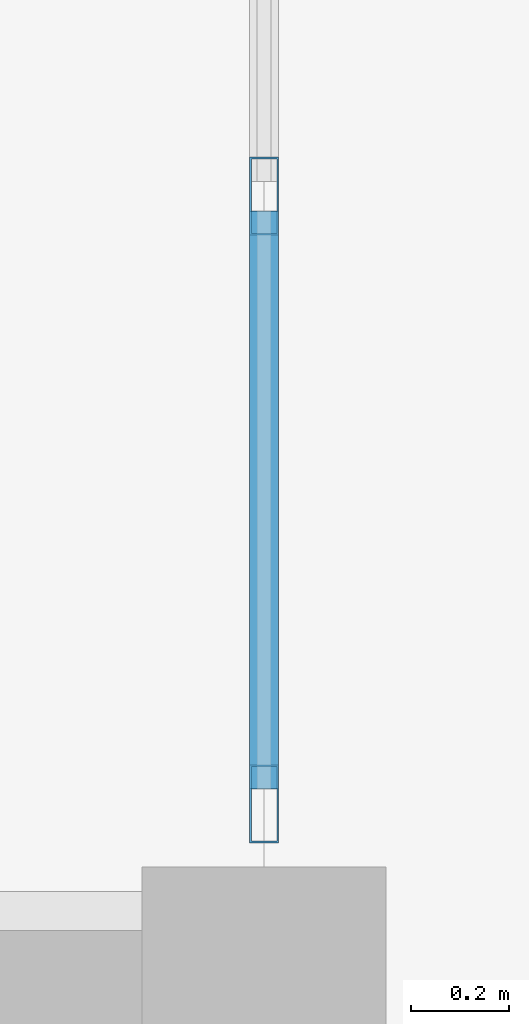
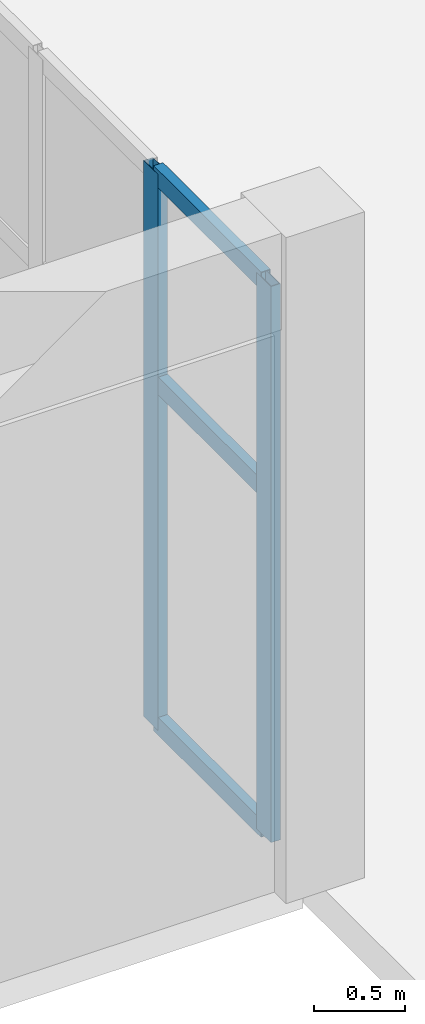
# One storey, part 24 of 132: 5 members, 1 element without a shape of its own.
"""IFC4 building model written with IfcOpenShell, lengths in metres."""

from ifc_helpers import new_model, si_unit, direction, frame, origin, origin_2d, place, context, subcontext, project, spatial, hollow_rectangle, extrude, material, material_profile, profile_set, type_object, element, aggregate, save


model = new_model("IFC4")

# Units and contexts
model_context = context("Model", 3, precision=1e-05, world=origin(), true_north=direction((0.0, 1.0)))
body_context = subcontext(model_context, "Body", "Model", "MODEL_VIEW")
ifc_project = project(units=[si_unit("LENGTHUNIT", "METRE"), si_unit("AREAUNIT", "SQUARE_METRE"), si_unit("VOLUMEUNIT", "CUBIC_METRE"), si_unit("PLANEANGLEUNIT", "RADIAN"), si_unit("MASSUNIT", "GRAM", prefix="KILO")], contexts=[model_context])

# Site, building, storey
site_placement = place(None, origin())
site = spatial("IfcSite", under=ifc_project, at=site_placement, CompositionType="ELEMENT")
building_placement = place(site_placement, origin())
building = spatial("IfcBuilding", under=site, at=building_placement, Name="Tanwirah Colonnade Gardens", CompositionType="ELEMENT")
storey_placement = place(building_placement, origin())
storey = spatial("IfcBuildingStorey", under=building, at=storey_placement, Name="L00", CompositionType="ELEMENT", Elevation=0.0)

# Curtain wall, members
ifc_material_1 = material(Name="Bronze-anodised aluminium and solar-control low-E glass", Category="aluminium")
curtain_wall_type = type_object("IfcCurtainWallType", Name="CW-SHP", PredefinedType="NOTDEFINED", material=ifc_material_1)
curtain_wall_placement = place(storey_placement, origin())
curtain_wall = element("IfcCurtainWall", 1, at=curtain_wall_placement, inside=storey, type_object=curtain_wall_type, Name="Curtain Wall CW-SHP-E-L00-E-1", PredefinedType="NOTDEFINED")
ifc_material_2 = material(Name="Bronze-anodised aluminium", Category="aluminium")
ifc_material_profile_1 = material_profile(ifc_material_2, hollow_rectangle(XDim=0.06005859375, YDim=0.159912109375, WallThickness=0.00390625, at=origin_2d()), Name="CW-MUL 60x160x4")
ifc_profile_set_1 = profile_set([ifc_material_profile_1], Name="Bronze-anodised aluminium")
member_type_1 = type_object("IfcMemberType", Name="CWM-60x160", PredefinedType="MULLION", material=ifc_profile_set_1)
member_1_placement = place(storey_placement, frame((120.0, 16.97998046875, 0.0), z_axis=(0.0, 0.0, 1.0), x_axis=(-1.0, 0.0, 0.0)))
member_1 = element("IfcMember", 2, at=member_1_placement, type_object=member_type_1, Name="CW-SHP mullion 1", PredefinedType="MULLION", context=body_context, shape_type="SweptSolid", body=[
    extrude(hollow_rectangle(XDim=0.06005859375, YDim=0.159912109375, WallThickness=0.00390625, at=origin_2d()), origin(), (0.0, 0.0, 1.0), 3.75),
])
member_2_placement = place(storey_placement, frame((120.0, 18.22509765625, 0.0), z_axis=(0.0, 0.0, 1.0), x_axis=(-1.0, 0.0, 0.0)))
member_2 = element("IfcMember", 3, at=member_2_placement, type_object=member_type_1, Name="CW-SHP mullion 2", PredefinedType="MULLION", context=body_context, shape_type="SweptSolid", body=[
    extrude(hollow_rectangle(XDim=0.06005859375, YDim=0.159912109375, WallThickness=0.00390625, at=origin_2d()), origin(), (0.0, 0.0, 1.0), 3.75),
])
ifc_material_profile_2 = material_profile(ifc_material_2, hollow_rectangle(XDim=0.06005859375, YDim=0.1201171875, WallThickness=0.00390625, at=origin_2d()), Name="CW-TRN 60x120x4")
ifc_profile_set_2 = profile_set([ifc_material_profile_2], Name="Bronze-anodised aluminium")
member_type_2 = type_object("IfcMemberType", Name="CWT-60x120", PredefinedType="USERDEFINED", material=ifc_profile_set_2)
member_3_placement = place(storey_placement, frame((120.0, 17.010009765625, 0.030029296875), z_axis=(0.0, 1.0, 0.0), x_axis=(-1.0, 0.0, 0.0)))
member_3 = element("IfcMember", 4, at=member_3_placement, type_object=member_type_2, Name="CW-SHP transom 1.1", ObjectType="TRANSOM", PredefinedType="USERDEFINED", context=body_context, shape_type="SweptSolid", body=[
    extrude(hollow_rectangle(XDim=0.06005859375, YDim=0.1201171875, WallThickness=0.00390625, at=origin_2d()), origin(), (0.0, 0.0, 1.0), 1.18505859375),
])
member_4_placement = place(storey_placement, frame((120.0, 17.010009765625, 2.324951171875), z_axis=(0.0, 1.0, 0.0), x_axis=(-1.0, 0.0, 0.0)))
member_4 = element("IfcMember", 5, at=member_4_placement, type_object=member_type_2, Name="CW-SHP transom 1.2", ObjectType="TRANSOM", PredefinedType="USERDEFINED", context=body_context, shape_type="SweptSolid", body=[
    extrude(hollow_rectangle(XDim=0.06005859375, YDim=0.1201171875, WallThickness=0.00390625, at=origin_2d()), origin(), (0.0, 0.0, 1.0), 1.18505859375),
])
member_5_placement = place(storey_placement, frame((120.0, 17.010009765625, 3.719970703125), z_axis=(0.0, 1.0, 0.0), x_axis=(-1.0, 0.0, 0.0)))
member_5 = element("IfcMember", 6, at=member_5_placement, type_object=member_type_2, Name="CW-SHP transom 1.3", ObjectType="TRANSOM", PredefinedType="USERDEFINED", context=body_context, shape_type="SweptSolid", body=[
    extrude(hollow_rectangle(XDim=0.06005859375, YDim=0.1201171875, WallThickness=0.00390625, at=origin_2d()), origin(), (0.0, 0.0, 1.0), 1.18505859375),
])
aggregate(curtain_wall, [member_1, member_2, member_3, member_4, member_5])

save(model, "model.ifc")
